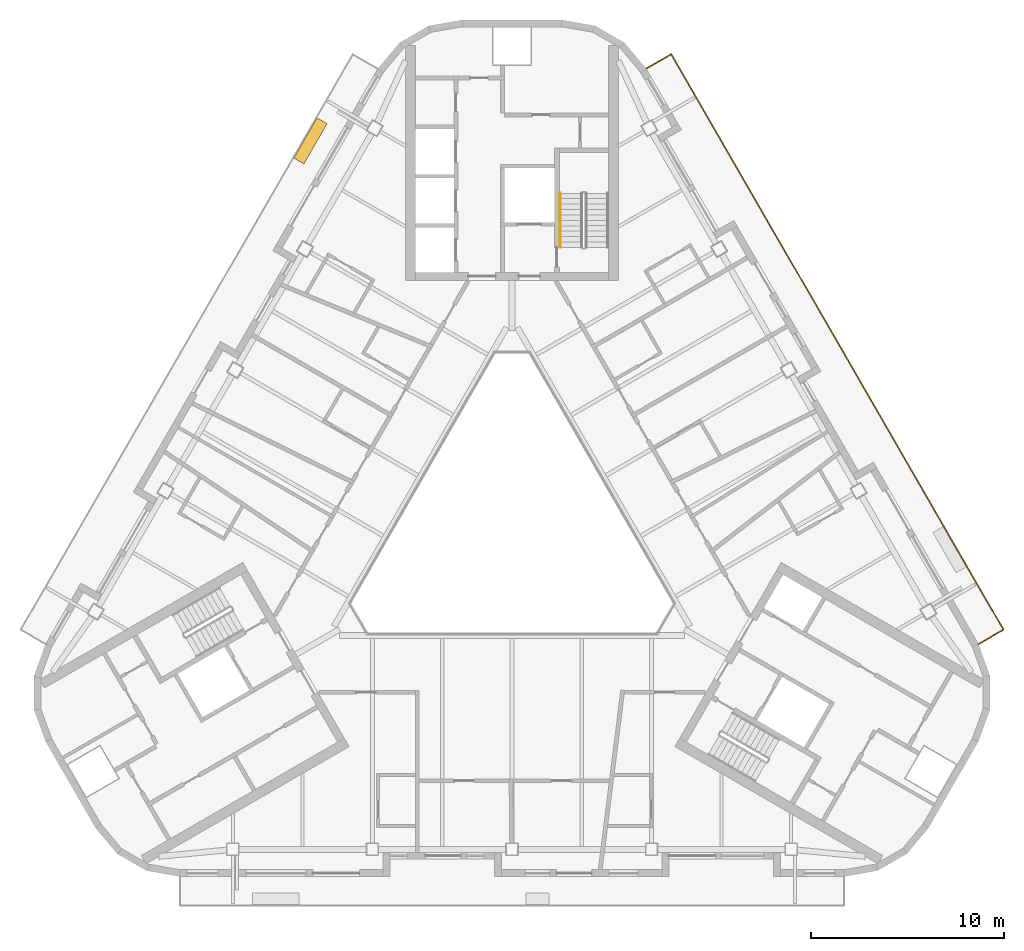
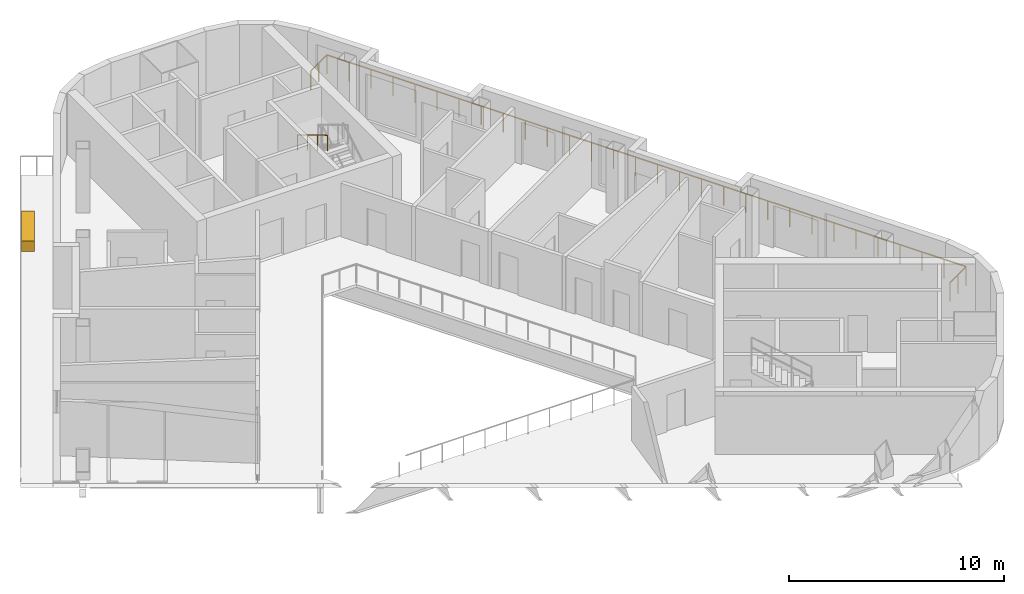
# One storey, part 12 of 13: 2 railings, 1 covering.
"""IFC4 building model written with IfcOpenShell, lengths in metres."""

from ifc_helpers import new_model, si_unit, direction, frame, origin, origin_2d, place, context, subcontext, project, spatial, rectangle, circle, extrude, material, type_object, element, save


model = new_model("IFC4")

# Units and contexts
model_context = context("Model", 3, precision=1e-05, world=origin(), true_north=direction((0.0, 1.0)))
body_context = subcontext(model_context, "Body", "Model", "MODEL_VIEW")
ifc_project = project(units=[si_unit("LENGTHUNIT", "METRE"), si_unit("AREAUNIT", "SQUARE_METRE"), si_unit("VOLUMEUNIT", "CUBIC_METRE"), si_unit("PLANEANGLEUNIT", "RADIAN"), si_unit("MASSUNIT", "GRAM", prefix="KILO")], contexts=[model_context])

# Site, building, storey
site_placement = place(None, origin())
site = spatial("IfcSite", under=ifc_project, at=site_placement, CompositionType="ELEMENT")
building_placement = place(site_placement, origin())
building = spatial("IfcBuilding", under=site, at=building_placement, Name="Apuvela Tower Hotel", CompositionType="ELEMENT")
storey_placement = place(building_placement, frame((0.0, 0.0, 283.699951171875)))
storey = spatial("IfcBuildingStorey", under=building, at=storey_placement, Name="L70", CompositionType="ELEMENT", Elevation=283.699951171875)

# Railings
ifc_material_1 = material(Name="Stainless steel 316 handrail", Category="steel")
railing_type_1 = type_object("IfcRailingType", Name="COR-HANDRAIL-900", PredefinedType="HANDRAIL", material=ifc_material_1)
railing_1_placement = place(storey_placement, frame((2.5, 17.39990234375, 2.018310546875)))
element("IfcRailing", 1, at=railing_1_placement, inside=storey, type_object=railing_type_1, Name="L70 ST1 stair handrail 2", PredefinedType="HANDRAIL", context=body_context, shape_type="SweptSolid", body=[
    extrude(circle(Radius=0.02392578125, at=origin_2d()), frame((0.0, 0.0, 0.8759765625), z_axis=(0.0, -0.857255387014, 0.514891446264), x_axis=(1.0, 0.0, 0.0)), (0.0, 0.0, 1.0), 3.26611328125),
    extrude(rectangle(XDim=0.0419921875, YDim=0.0419921875, at=origin_2d()), origin(), (0.0, 0.0, 1.0), 0.851806640625),
    extrude(rectangle(XDim=0.0419921875, YDim=0.0419921875, at=origin_2d()), frame((0.0, -0.933349609375, 0.560546875)), (0.0, 0.0, 1.0), 0.851806640625),
    extrude(rectangle(XDim=0.0419921875, YDim=0.0419921875, at=origin_2d()), frame((0.0, -1.866455078125, 1.12109375)), (0.0, 0.0, 1.0), 0.851806640625),
    extrude(rectangle(XDim=0.0419921875, YDim=0.0419921875, at=origin_2d()), frame((0.0, -2.7998046875, 1.681640625)), (0.0, 0.0, 1.0), 0.851806640625),
])
ifc_material_2 = material(Name="Stainless steel 316 rail with laminated glass infill", Category="steel")
railing_type_2 = type_object("IfcRailingType", Name="ENV-GUARD-1100", PredefinedType="GUARDRAIL", material=ifc_material_2)
railing_2_placement = place(storey_placement, frame((24.119384765625, -5.91845703125, 0.0)))
element("IfcRailing", 2, at=railing_2_placement, inside=storey, type_object=railing_type_2, Name="Balcony guard NE L70", PredefinedType="GUARDRAIL", context=body_context, shape_type="SweptSolid", body=[
    extrude(rectangle(XDim=0.050048828125, YDim=0.050048828125, at=origin_2d()), frame((0.0, 0.0, 1.0751953125), z_axis=(0.86599040064, 0.500060622324, 0.0), x_axis=(-0.500060622324, 0.86599040064, 0.0)), (0.0, 0.0, 1.0), 1.499755859375),
    extrude(rectangle(XDim=0.050048828125, YDim=0.050048828125, at=origin_2d()), frame((1.298828125, 0.75, 1.0751953125), z_axis=(-0.499997097509, 0.866027079532, 0.0), x_axis=(-0.866027079532, -0.499997097509, 0.0)), (0.0, 0.0, 1.0), 34.370361328125),
    extrude(rectangle(XDim=0.050048828125, YDim=0.050048828125, at=origin_2d()), frame((-15.88623046875, 30.515625, 1.0751953125), z_axis=(-0.866031096941, -0.499990139034, 0.0), x_axis=(0.499990139034, -0.866031096941, 0.0)), (0.0, 0.0, 1.0), 1.5),
    extrude(rectangle(XDim=0.0400390625, YDim=0.0400390625, at=origin_2d()), origin(), (0.0, 0.0, 1.0), 1.050048828125),
    extrude(rectangle(XDim=0.0400390625, YDim=0.0400390625, at=origin_2d()), frame((0.6494140625, 0.375, 0.0)), (0.0, 0.0, 1.0), 1.050048828125),
    extrude(rectangle(XDim=0.0400390625, YDim=0.0400390625, at=origin_2d()), frame((1.298828125, 0.75, 0.0)), (0.0, 0.0, 1.0), 1.050048828125),
    extrude(rectangle(XDim=0.0400390625, YDim=0.0400390625, at=origin_2d()), frame((0.706298828125, 1.7763671875, 0.0)), (0.0, 0.0, 1.0), 1.050048828125),
    extrude(rectangle(XDim=0.0400390625, YDim=0.0400390625, at=origin_2d()), frame((0.11376953125, 2.802734375, 0.0)), (0.0, 0.0, 1.0), 1.050048828125),
    extrude(rectangle(XDim=0.0400390625, YDim=0.0400390625, at=origin_2d()), frame((-0.47900390625, 3.8291015625, 0.0)), (0.0, 0.0, 1.0), 1.050048828125),
    extrude(rectangle(XDim=0.0400390625, YDim=0.0400390625, at=origin_2d()), frame((-1.071533203125, 4.855712890625, 0.0)), (0.0, 0.0, 1.0), 1.050048828125),
    extrude(rectangle(XDim=0.0400390625, YDim=0.0400390625, at=origin_2d()), frame((-1.6640625, 5.882080078125, 0.0)), (0.0, 0.0, 1.0), 1.050048828125),
    extrude(rectangle(XDim=0.0400390625, YDim=0.0400390625, at=origin_2d()), frame((-2.256591796875, 6.908447265625, 0.0)), (0.0, 0.0, 1.0), 1.050048828125),
    extrude(rectangle(XDim=0.0400390625, YDim=0.0400390625, at=origin_2d()), frame((-2.849365234375, 7.934814453125, 0.0)), (0.0, 0.0, 1.0), 1.050048828125),
    extrude(rectangle(XDim=0.0400390625, YDim=0.0400390625, at=origin_2d()), frame((-3.44189453125, 8.961181640625, 0.0)), (0.0, 0.0, 1.0), 1.050048828125),
    extrude(rectangle(XDim=0.0400390625, YDim=0.0400390625, at=origin_2d()), frame((-4.034423828125, 9.987548828125, 0.0)), (0.0, 0.0, 1.0), 1.050048828125),
    extrude(rectangle(XDim=0.0400390625, YDim=0.0400390625, at=origin_2d()), frame((-4.626953125, 11.013916015625, 0.0)), (0.0, 0.0, 1.0), 1.050048828125),
    extrude(rectangle(XDim=0.0400390625, YDim=0.0400390625, at=origin_2d()), frame((-5.2197265625, 12.04052734375, 0.0)), (0.0, 0.0, 1.0), 1.050048828125),
    extrude(rectangle(XDim=0.0400390625, YDim=0.0400390625, at=origin_2d()), frame((-5.812255859375, 13.06689453125, 0.0)), (0.0, 0.0, 1.0), 1.050048828125),
    extrude(rectangle(XDim=0.0400390625, YDim=0.0400390625, at=origin_2d()), frame((-6.40478515625, 14.09326171875, 0.0)), (0.0, 0.0, 1.0), 1.050048828125),
    extrude(rectangle(XDim=0.0400390625, YDim=0.0400390625, at=origin_2d()), frame((-6.997314453125, 15.11962890625, 0.0)), (0.0, 0.0, 1.0), 1.050048828125),
    extrude(rectangle(XDim=0.0400390625, YDim=0.0400390625, at=origin_2d()), frame((-7.590087890625, 16.14599609375, 0.0)), (0.0, 0.0, 1.0), 1.050048828125),
    extrude(rectangle(XDim=0.0400390625, YDim=0.0400390625, at=origin_2d()), frame((-8.1826171875, 17.17236328125, 0.0)), (0.0, 0.0, 1.0), 1.050048828125),
    extrude(rectangle(XDim=0.0400390625, YDim=0.0400390625, at=origin_2d()), frame((-8.775146484375, 18.19873046875, 0.0)), (0.0, 0.0, 1.0), 1.050048828125),
    extrude(rectangle(XDim=0.0400390625, YDim=0.0400390625, at=origin_2d()), frame((-9.36767578125, 19.22509765625, 0.0)), (0.0, 0.0, 1.0), 1.050048828125),
    extrude(rectangle(XDim=0.0400390625, YDim=0.0400390625, at=origin_2d()), frame((-9.96044921875, 20.251708984375, 0.0)), (0.0, 0.0, 1.0), 1.050048828125),
    extrude(rectangle(XDim=0.0400390625, YDim=0.0400390625, at=origin_2d()), frame((-10.552978515625, 21.278076171875, 0.0)), (0.0, 0.0, 1.0), 1.050048828125),
    extrude(rectangle(XDim=0.0400390625, YDim=0.0400390625, at=origin_2d()), frame((-11.1455078125, 22.304443359375, 0.0)), (0.0, 0.0, 1.0), 1.050048828125),
    extrude(rectangle(XDim=0.0400390625, YDim=0.0400390625, at=origin_2d()), frame((-11.738037109375, 23.330810546875, 0.0)), (0.0, 0.0, 1.0), 1.050048828125),
    extrude(rectangle(XDim=0.0400390625, YDim=0.0400390625, at=origin_2d()), frame((-12.330810546875, 24.357177734375, 0.0)), (0.0, 0.0, 1.0), 1.050048828125),
    extrude(rectangle(XDim=0.0400390625, YDim=0.0400390625, at=origin_2d()), frame((-12.92333984375, 25.383544921875, 0.0)), (0.0, 0.0, 1.0), 1.050048828125),
    extrude(rectangle(XDim=0.0400390625, YDim=0.0400390625, at=origin_2d()), frame((-13.515869140625, 26.409912109375, 0.0)), (0.0, 0.0, 1.0), 1.050048828125),
    extrude(rectangle(XDim=0.0400390625, YDim=0.0400390625, at=origin_2d()), frame((-14.1083984375, 27.4365234375, 0.0)), (0.0, 0.0, 1.0), 1.050048828125),
    extrude(rectangle(XDim=0.0400390625, YDim=0.0400390625, at=origin_2d()), frame((-14.701171875, 28.462890625, 0.0)), (0.0, 0.0, 1.0), 1.050048828125),
    extrude(rectangle(XDim=0.0400390625, YDim=0.0400390625, at=origin_2d()), frame((-15.293701171875, 29.4892578125, 0.0)), (0.0, 0.0, 1.0), 1.050048828125),
    extrude(rectangle(XDim=0.0400390625, YDim=0.0400390625, at=origin_2d()), frame((-15.88623046875, 30.515625, 0.0)), (0.0, 0.0, 1.0), 1.050048828125),
    extrude(rectangle(XDim=0.0400390625, YDim=0.0400390625, at=origin_2d()), frame((-16.53564453125, 30.140625, 0.0)), (0.0, 0.0, 1.0), 1.050048828125),
    extrude(rectangle(XDim=0.0400390625, YDim=0.0400390625, at=origin_2d()), frame((-17.185302734375, 29.765625, 0.0)), (0.0, 0.0, 1.0), 1.050048828125),
])

# Covering
ifc_material_3 = material(Name="Planting substrate and soil, planted")
covering_type = type_object("IfcCoveringType", Name="ENV-PLANTER-2400x600", PredefinedType="USERDEFINED", material=ifc_material_3)
covering_placement = place(storey_placement, frame((-10.419921875, 20.10986328125, 0.0), z_axis=(0.0, 0.0, 1.0), x_axis=(-0.5, -0.866025403784, 0.0)))
element("IfcCovering", 3, at=covering_placement, inside=storey, type_object=covering_type, Name="Planter NW4", ObjectType="PLANTER", PredefinedType="USERDEFINED", context=body_context, shape_type="SweptSolid", body=[
    extrude(rectangle(XDim=2.39990234375, YDim=0.60009765625, at=origin_2d()), origin(), (0.0, 0.0, 1.0), 0.60009765625),
])

save(model, "model.ifc")
